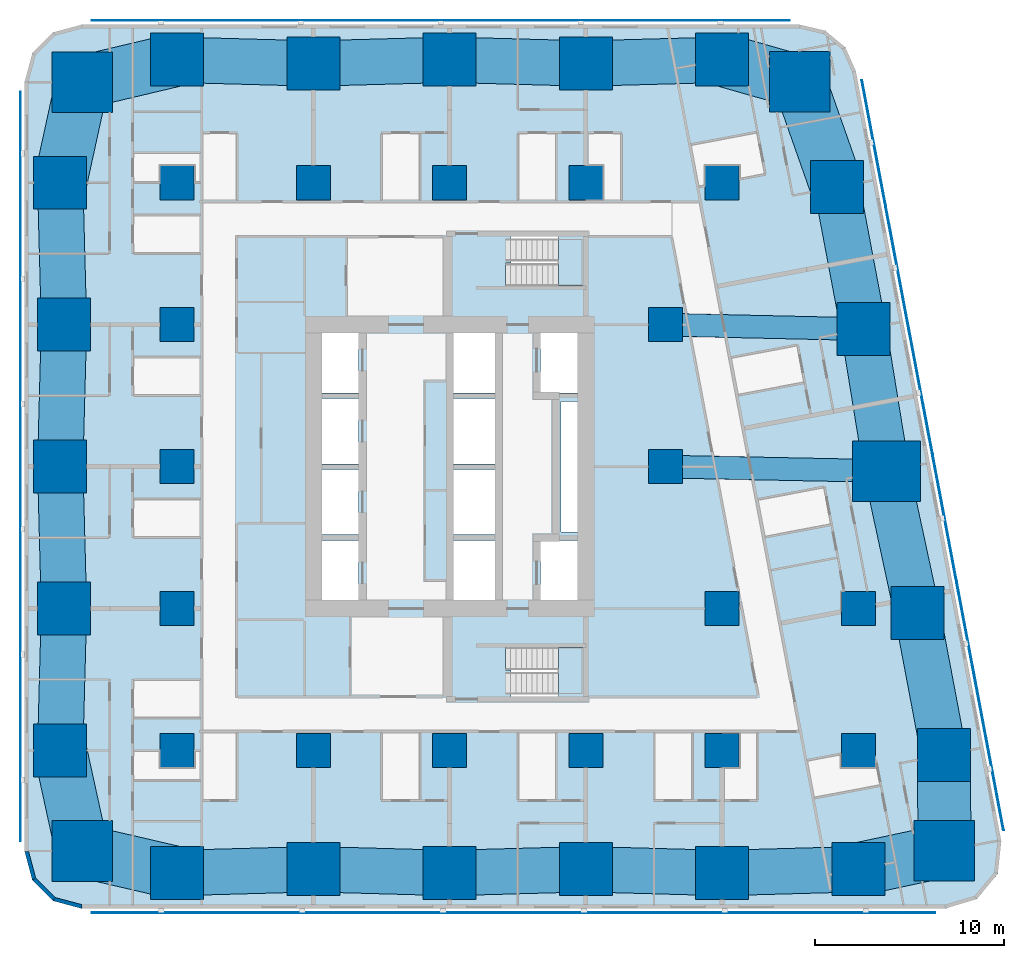
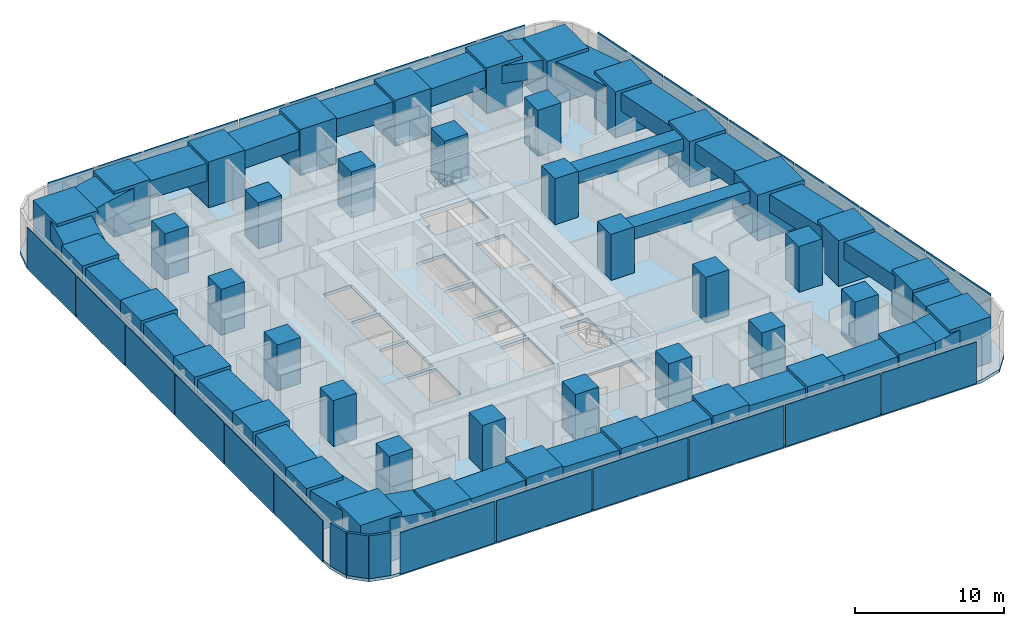
# One storey, part 1 of 15: 43 columns, 27 beams, 23 plates, 3 slabs, 3 walls, 2 elements without a shape of their own.
"""IFC4 building model written with IfcOpenShell, lengths in metres."""

from ifc_helpers import new_model, si_unit, direction, frame, frame_2d, origin, origin_2d, place, context, subcontext, project, spatial, polyline, rectangle, outline, extrude, material, layer, layer_set, material_profile, profile_set, type_object, element, aggregate, save


model = new_model("IFC4")

# Units and contexts
model_context = context("Model", 3, precision=1e-05, world=origin(), true_north=direction((0.0, 1.0)))
body_context = subcontext(model_context, "Body", "Model", "MODEL_VIEW")
ifc_project = project(units=[si_unit("LENGTHUNIT", "METRE"), si_unit("AREAUNIT", "SQUARE_METRE"), si_unit("VOLUMEUNIT", "CUBIC_METRE"), si_unit("PLANEANGLEUNIT", "RADIAN"), si_unit("MASSUNIT", "GRAM", prefix="KILO")], contexts=[model_context])

# Site, building, storey
site_placement = place(None, origin())
site = spatial("IfcSite", under=ifc_project, at=site_placement, CompositionType="ELEMENT")
building_placement = place(site_placement, origin())
building = spatial("IfcBuilding", under=site, at=building_placement, Name="Sheger Commons Tower", CompositionType="ELEMENT")
storey_placement = place(building_placement, frame((0.0, 0.0, 50.0)))
storey = spatial("IfcBuildingStorey", under=building, at=storey_placement, Name="L12", CompositionType="ELEMENT", Elevation=50.0)

# Columns
ifc_material_1 = material(Name="Concrete C50/60", Category="concrete")
ifc_material_profile_1 = material_profile(ifc_material_1, rectangle(XDim=3.60009765625, YDim=3.199951171875, at=origin_2d()), Name="RC 3600x3200")
ifc_profile_set_1 = profile_set([ifc_material_profile_1], Name="Concrete C50/60")
column_type_1 = type_object("IfcColumnType", Name="COLUMN PIER RC 3600x3200", PredefinedType="COLUMN", material=ifc_profile_set_1)
column_placement = place(storey_placement, frame((44.697021484375, 22.262939453125, 0.0), z_axis=(0.0, 0.0, 1.0), x_axis=(1.0, 0.0, 0.0)))
element("IfcColumn", 1, at=column_placement, inside=storey, type_object=column_type_1, Name="Pier 7/D+E/D L12", PredefinedType="COLUMN", context=body_context, shape_type="SweptSolid", body=[
    extrude(rectangle(XDim=3.60009765625, YDim=3.199951171875, at=origin_2d()), origin(), (0.0, 0.0, 1.0), 3.75),
])
ifc_material_2 = material(Name="Concrete C50/60", Category="concrete")
ifc_material_profile_2 = material_profile(ifc_material_2, rectangle(XDim=1.800048828125, YDim=1.800048828125, at=origin_2d()), Name="RC 1800x1800")
ifc_profile_set_2 = profile_set([ifc_material_profile_2], Name="Concrete C50/60")
column_type_2 = type_object("IfcColumnType", Name="COLUMN RC 1800x1800", PredefinedType="COLUMN", material=ifc_profile_set_2)
for number, where, z_axis, x_axis, name in (
    (2, (7.199951171875, 7.5, 0.0), (0.0, 0.0, 1.0), (1.0, 0.0, 0.0), "Column 2/B L12"),
    (3, (14.39990234375, 7.5, 0.0), (0.0, 0.0, 1.0), (1.0, 0.0, 0.0), "Column 3/B L12"),
    (4, (21.60009765625, 7.5, 0.0), (0.0, 0.0, 1.0), (1.0, 0.0, 0.0), "Column 4/B L12"),
    (5, (28.800048828125, 7.5, 0.0), (0.0, 0.0, 1.0), (1.0, 0.0, 0.0), "Column 5/B L12"),
    (6, (36.0, 7.5, 0.0), (0.0, 0.0, 1.0), (1.0, 0.0, 0.0), "Column 6/B L12"),
    (7, (43.199951171875, 7.5, 0.0), (0.0, 0.0, 1.0), (1.0, 0.0, 0.0), "Column 7/B L12"),
    (8, (7.199951171875, 15.0, 0.0), (0.0, 0.0, 1.0), (1.0, 0.0, 0.0), "Column 2/C L12"),
    (9, (36.0, 15.0, 0.0), (0.0, 0.0, 1.0), (1.0, 0.0, 0.0), "Column 6/C L12"),
    (10, (43.199951171875, 15.0, 0.0), (0.0, 0.0, 1.0), (1.0, 0.0, 0.0), "Column 7/C L12"),
    (11, (7.199951171875, 22.5, 0.0), (0.0, 0.0, 1.0), (1.0, 0.0, 0.0), "Column 2/D L12"),
    (12, (33.0, 22.5, 0.0), (0.0, 0.0, 1.0), (1.0, 0.0, 0.0), "Column 6-3000/D L12"),
    (13, (7.199951171875, 30.0, 0.0), (0.0, 0.0, 1.0), (1.0, 0.0, 0.0), "Column 2/E L12"),
    (14, (33.0, 30.0, 0.0), (0.0, 0.0, 1.0), (1.0, 0.0, 0.0), "Column 6-3000/E L12"),
    (15, (7.199951171875, 37.5, 0.0), (0.0, 0.0, 1.0), (1.0, 0.0, 0.0), "Column 2/F L12"),
    (16, (14.39990234375, 37.5, 0.0), (0.0, 0.0, 1.0), (1.0, 0.0, 0.0), "Column 3/F L12"),
    (17, (21.60009765625, 37.5, 0.0), (0.0, 0.0, 1.0), (1.0, 0.0, 0.0), "Column 4/F L12"),
    (18, (28.800048828125, 37.5, 0.0), (0.0, 0.0, 1.0), (1.0, 0.0, 0.0), "Column 5/F L12"),
    (19, (36.0, 37.5, 0.0), (0.0, 0.0, 1.0), (1.0, 0.0, 0.0), "Column 6/F L12"),
):
    element("IfcColumn", number, at=place(storey_placement, frame(where, z_axis=z_axis, x_axis=x_axis)), inside=storey, type_object=column_type_2, Name=name, PredefinedType="COLUMN", context=body_context, shape_type="SweptSolid", body=[
        extrude(rectangle(XDim=1.800048828125, YDim=1.800048828125, at=origin_2d()), origin(), (0.0, 0.0, 1.0), 3.75),
    ])
ifc_material_3 = material(Name="Concrete C50/60", Category="concrete")
ifc_material_profile_3 = material_profile(ifc_material_3, rectangle(XDim=2.800048828125, YDim=2.800048828125, at=origin_2d()), Name="RC 2800x2800")
ifc_profile_set_3 = profile_set([ifc_material_profile_3], Name="Concrete C50/60")
column_type_3 = type_object("IfcColumnType", Name="COLUMN RC 2800x2800", PredefinedType="COLUMN", material=ifc_profile_set_3)
for number, where, z_axis, x_axis, name in (
    (20, (7.199951171875, 1.02490234375, 0.0), (0.0, 0.0, 1.0), (1.0, 0.0, 0.0), "Column 2/A L12"),
    (21, (14.39990234375, 1.22509765625, 0.0), (0.0, 0.0, 1.0), (1.0, 0.0, 0.0), "Column 3/A L12"),
    (22, (21.60009765625, 1.02490234375, 0.0), (0.0, 0.0, 1.0), (1.0, 0.0, 0.0), "Column 4/A L12"),
    (23, (28.800048828125, 1.22509765625, 0.0), (0.0, 0.0, 1.0), (1.0, 0.0, 0.0), "Column 5/A L12"),
    (24, (36.0, 1.02490234375, 0.0), (0.0, 0.0, 1.0), (1.0, 0.0, 0.0), "Column 6/A L12"),
    (25, (43.199951171875, 1.22509765625, 0.0), (0.0, 0.0, 1.0), (1.0, 0.0, 0.0), "Column 7/A L12"),
    (26, (1.02490234375, 7.5, 0.0), (0.0, 0.0, 1.0), (1.0, 0.0, 0.0), "Column 1/B L12"),
    (27, (47.72998046875, 7.262939453125, 0.0), (0.0, 0.0, 1.0), (1.0, 0.0, 0.0), "Column E/B L12"),
    (28, (1.22509765625, 15.0, 0.0), (0.0, 0.0, 1.0), (1.0, 0.0, 0.0), "Column 1/C L12"),
    (29, (46.31396484375, 14.762939453125, 0.0), (0.0, 0.0, 1.0), (1.0, 0.0, 0.0), "Column E/C L12"),
    (30, (1.02490234375, 22.5, 0.0), (0.0, 0.0, 1.0), (1.0, 0.0, 0.0), "Column 1/D L12"),
    (31, (1.22509765625, 30.0, 0.0), (0.0, 0.0, 1.0), (1.0, 0.0, 0.0), "Column 1/E L12"),
    (32, (43.47998046875, 29.762939453125, 0.0), (0.0, 0.0, 1.0), (1.0, 0.0, 0.0), "Column E/E L12"),
    (33, (1.02490234375, 37.5, 0.0), (0.0, 0.0, 1.0), (1.0, 0.0, 0.0), "Column 1/F L12"),
    (34, (42.06396484375, 37.262939453125, 0.0), (0.0, 0.0, 1.0), (1.0, 0.0, 0.0), "Column E/F L12"),
    (35, (7.199951171875, 44.0, 0.0), (0.0, 0.0, 1.0), (1.0, 0.0, 0.0), "Column 2/G L12"),
    (36, (14.39990234375, 43.800048828125, 0.0), (0.0, 0.0, 1.0), (1.0, 0.0, 0.0), "Column 3/G L12"),
    (37, (21.60009765625, 44.0, 0.0), (0.0, 0.0, 1.0), (1.0, 0.0, 0.0), "Column 4/G L12"),
    (38, (28.800048828125, 43.800048828125, 0.0), (0.0, 0.0, 1.0), (1.0, 0.0, 0.0), "Column 5/G L12"),
    (39, (36.0, 44.0, 0.0), (0.0, 0.0, 1.0), (1.0, 0.0, 0.0), "Column 6/G L12"),
):
    element("IfcColumn", number, at=place(storey_placement, frame(where, z_axis=z_axis, x_axis=x_axis)), inside=storey, type_object=column_type_3, Name=name, PredefinedType="COLUMN", context=body_context, shape_type="SweptSolid", body=[
        extrude(rectangle(XDim=2.800048828125, YDim=2.800048828125, at=origin_2d()), origin(), (0.0, 0.0, 1.0), 3.75),
    ])
ifc_material_4 = material(Name="Concrete C50/60", Category="concrete")
ifc_material_profile_4 = material_profile(ifc_material_4, rectangle(XDim=3.199951171875, YDim=3.199951171875, at=origin_2d()), Name="RC 3200x3200")
ifc_profile_set_4 = profile_set([ifc_material_profile_4], Name="Concrete C50/60")
column_type_4 = type_object("IfcColumnType", Name="COLUMN RC 3200x3200", PredefinedType="COLUMN", material=ifc_profile_set_4)
for number, where, z_axis, x_axis, name in (
    (40, (2.18603515625, 2.18603515625, 0.0), (0.0, 0.0, 1.0), (1.0, 0.0, 0.0), "Column 0.630,0.630 L12"),
    (41, (47.748046875, 2.197021484375, 0.0), (0.0, 0.0, 1.0), (1.0, 0.0, 0.0), "Column 49.461,0.778 L12"),
    (42, (2.18603515625, 42.81396484375, 0.0), (0.0, 0.0, 1.0), (1.0, 0.0, 0.0), "Column 0.630,44.370 L12"),
    (43, (40.10205078125, 42.830078125, 0.0), (0.0, 0.0, 1.0), (1.0, 0.0, 0.0), "Column 41.490,44.505 L12"),
):
    element("IfcColumn", number, at=place(storey_placement, frame(where, z_axis=z_axis, x_axis=x_axis)), inside=storey, type_object=column_type_4, Name=name, PredefinedType="COLUMN", context=body_context, shape_type="SweptSolid", body=[
        extrude(rectangle(XDim=3.199951171875, YDim=3.199951171875, at=origin_2d()), origin(), (0.0, 0.0, 1.0), 3.75),
    ])

# Beams
ifc_material_5 = material(Name="Concrete C50/60", Category="concrete")
ifc_material_profile_5 = material_profile(ifc_material_5, rectangle(XDim=1.199951171875, YDim=1.0, at=origin_2d()), Name="RC 1200x1000")
ifc_profile_set_5 = profile_set([ifc_material_profile_5], Name="Concrete C50/60")
beam_type_1 = type_object("IfcBeamType", Name="BEAM RC 1200x1000", PredefinedType="BEAM", material=ifc_profile_set_5)
beam_1_placement = place(storey_placement, frame((33.0, 22.5, 3.0), z_axis=(0.999794692776, -0.02026258368, 0.0), x_axis=(0.02026258368, 0.999794692776, 0.0)))
element("IfcBeam", 44, at=beam_1_placement, inside=storey, type_object=beam_type_1, Name="Beam 6-3000/D-7/D under L13", PredefinedType="BEAM", context=body_context, shape_type="SweptSolid", body=[
    extrude(rectangle(XDim=1.199951171875, YDim=1.0, at=origin_2d()), origin(), (0.0, 0.0, 1.0), 11.699462890625),
])
beam_2_placement = place(storey_placement, frame((33.0, 30.0, 3.0), z_axis=(0.999744258625, -0.022614538395, 0.0), x_axis=(0.022614538395, 0.999744258625, 0.0)))
element("IfcBeam", 45, at=beam_2_placement, inside=storey, type_object=beam_type_1, Name="Beam 6-3000/E-E/E under L13", PredefinedType="BEAM", context=body_context, shape_type="SweptSolid", body=[
    extrude(rectangle(XDim=1.199951171875, YDim=1.0, at=origin_2d()), origin(), (0.0, 0.0, 1.0), 10.482666015625),
])
ifc_material_6 = material(Name="Concrete C50/60", Category="concrete")
ifc_material_profile_6 = material_profile(ifc_material_6, rectangle(XDim=2.39990234375, YDim=1.449951171875, at=origin_2d()), Name="RC 2400x1450")
ifc_profile_set_6 = profile_set([ifc_material_profile_6], Name="Concrete C50/60")
beam_type_2 = type_object("IfcBeamType", Name="SPANDREL RC 2400x1450", PredefinedType="SPANDREL", material=ifc_profile_set_6)
beam_3_placement = place(storey_placement, frame((7.199951171875, 1.02490234375, 2.77490234375), z_axis=(0.9996136624, 0.027794350926, 0.0), x_axis=(-0.027794350926, 0.9996136624, 0.0)))
element("IfcBeam", 46, at=beam_3_placement, inside=storey, type_object=beam_type_2, Name="Beam 2/A-3/A under L13", PredefinedType="SPANDREL", context=body_context, shape_type="SweptSolid", body=[
    extrude(rectangle(XDim=2.39990234375, YDim=1.449951171875, at=origin_2d()), origin(), (0.0, 0.0, 1.0), 7.20263671875),
])
beam_4_placement = place(storey_placement, frame((14.39990234375, 1.22509765625, 2.77490234375), z_axis=(0.999613688584, -0.027793409217, 0.0), x_axis=(0.027793409217, 0.999613688584, 0.0)))
element("IfcBeam", 47, at=beam_4_placement, inside=storey, type_object=beam_type_2, Name="Beam 3/A-4/A under L13", PredefinedType="SPANDREL", context=body_context, shape_type="SweptSolid", body=[
    extrude(rectangle(XDim=2.39990234375, YDim=1.449951171875, at=origin_2d()), origin(), (0.0, 0.0, 1.0), 7.202880859375),
])
for number, where, z_axis, x_axis, name in (
    (48, (21.60009765625, 1.02490234375, 2.77490234375), (0.9996136624, 0.027794350926, 0.0), (-0.027794350926, 0.9996136624, 0.0), "Beam 4/A-5/A under L13"),
    (49, (28.800048828125, 1.22509765625, 2.77490234375), (0.9996136624, -0.027794350926, 0.0), (0.027794350926, 0.9996136624, 0.0), "Beam 5/A-6/A under L13"),
    (50, (36.0, 1.02490234375, 2.77490234375), (0.9996136624, 0.027794350926, 0.0), (-0.027794350926, 0.9996136624, 0.0), "Beam 6/A-7/A under L13"),
):
    element("IfcBeam", number, at=place(storey_placement, frame(where, z_axis=z_axis, x_axis=x_axis)), inside=storey, type_object=beam_type_2, Name=name, PredefinedType="SPANDREL", context=body_context, shape_type="SweptSolid", body=[
        extrude(rectangle(XDim=2.39990234375, YDim=1.449951171875, at=origin_2d()), origin(), (0.0, 0.0, 1.0), 7.20263671875),
    ])
beam_5_placement = place(storey_placement, frame((47.72998046875, 7.262939453125, 2.77490234375), z_axis=(-0.18552441405, 0.982639655108, 0.0), x_axis=(-0.982639655108, -0.18552441405, 0.0)))
element("IfcBeam", 51, at=beam_5_placement, inside=storey, type_object=beam_type_2, Name="Beam E/B-E/C under L13", PredefinedType="SPANDREL", context=body_context, shape_type="SweptSolid", body=[
    extrude(rectangle(XDim=2.39990234375, YDim=1.449951171875, at=origin_2d()), origin(), (0.0, 0.0, 1.0), 7.632568359375),
])
beam_6_placement = place(storey_placement, frame((46.31396484375, 14.762939453125, 2.77490234375), z_axis=(-0.210750229323, 0.977539943348, 0.0), x_axis=(-0.977539943348, -0.210750229323, 0.0)))
element("IfcBeam", 52, at=beam_6_placement, inside=storey, type_object=beam_type_2, Name="Beam E/C-E/D under L13", PredefinedType="SPANDREL", context=body_context, shape_type="SweptSolid", body=[
    extrude(rectangle(XDim=2.39990234375, YDim=1.449951171875, at=origin_2d()), origin(), (0.0, 0.0, 1.0), 7.67236328125),
])
beam_7_placement = place(storey_placement, frame((44.697021484375, 22.262939453125, 2.77490234375), z_axis=(-0.160176929512, 0.987088319884, 0.0), x_axis=(-0.987088319884, -0.160176929512, 0.0)))
element("IfcBeam", 53, at=beam_7_placement, inside=storey, type_object=beam_type_2, Name="Beam E/D-E/E under L13", PredefinedType="SPANDREL", context=body_context, shape_type="SweptSolid", body=[
    extrude(rectangle(XDim=2.39990234375, YDim=1.449951171875, at=origin_2d()), origin(), (0.0, 0.0, 1.0), 7.59814453125),
])
beam_8_placement = place(storey_placement, frame((43.47998046875, 29.762939453125, 2.77490234375), z_axis=(-0.18552441405, 0.982639655108, 0.0), x_axis=(-0.982639655108, -0.18552441405, 0.0)))
element("IfcBeam", 54, at=beam_8_placement, inside=storey, type_object=beam_type_2, Name="Beam E/E-E/F under L13", PredefinedType="SPANDREL", context=body_context, shape_type="SweptSolid", body=[
    extrude(rectangle(XDim=2.39990234375, YDim=1.449951171875, at=origin_2d()), origin(), (0.0, 0.0, 1.0), 7.632568359375),
])
for number, where, z_axis, x_axis, name in (
    (55, (36.0, 44.0, 2.77490234375), (-0.999614603568, -0.027760481514, 0.0), (0.027760481514, -0.999614603568, 0.0), "Beam 6/G-5/G under L13"),
    (56, (28.800048828125, 43.800048828125, 2.77490234375), (-0.999614603568, 0.027760481514, 0.0), (-0.027760481514, -0.999614603568, 0.0), "Beam 5/G-4/G under L13"),
):
    element("IfcBeam", number, at=place(storey_placement, frame(where, z_axis=z_axis, x_axis=x_axis)), inside=storey, type_object=beam_type_2, Name=name, PredefinedType="SPANDREL", context=body_context, shape_type="SweptSolid", body=[
        extrude(rectangle(XDim=2.39990234375, YDim=1.449951171875, at=origin_2d()), origin(), (0.0, 0.0, 1.0), 7.20263671875),
    ])
beam_9_placement = place(storey_placement, frame((21.60009765625, 44.0, 2.77490234375), z_axis=(-0.999614629688, -0.027759540951, 0.0), x_axis=(0.027759540951, -0.999614629688, 0.0)))
element("IfcBeam", 57, at=beam_9_placement, inside=storey, type_object=beam_type_2, Name="Beam 4/G-3/G under L13", PredefinedType="SPANDREL", context=body_context, shape_type="SweptSolid", body=[
    extrude(rectangle(XDim=2.39990234375, YDim=1.449951171875, at=origin_2d()), origin(), (0.0, 0.0, 1.0), 7.202880859375),
])
beam_10_placement = place(storey_placement, frame((14.39990234375, 43.800048828125, 2.77490234375), z_axis=(-0.999614603568, 0.027760481514, 0.0), x_axis=(-0.027760481514, -0.999614603568, 0.0)))
element("IfcBeam", 58, at=beam_10_placement, inside=storey, type_object=beam_type_2, Name="Beam 3/G-2/G under L13", PredefinedType="SPANDREL", context=body_context, shape_type="SweptSolid", body=[
    extrude(rectangle(XDim=2.39990234375, YDim=1.449951171875, at=origin_2d()), origin(), (0.0, 0.0, 1.0), 7.20263671875),
])
for number, where, z_axis, x_axis, name in (
    (59, (1.02490234375, 37.5, 2.77490234375), (0.026683204125, -0.999643939919, 0.0), (0.999643939919, 0.026683204125, 0.0), "Beam 1/F-1/E under L13"),
    (60, (1.22509765625, 30.0, 2.77490234375), (-0.026683204125, -0.999643939919, 0.0), (0.999643939919, -0.026683204125, 0.0), "Beam 1/E-1/D under L13"),
    (61, (1.02490234375, 22.5, 2.77490234375), (0.026683204125, -0.999643939919, 0.0), (0.999643939919, 0.026683204125, 0.0), "Beam 1/D-1/C under L13"),
    (62, (1.22509765625, 15.0, 2.77490234375), (-0.026683204125, -0.999643939919, 0.0), (0.999643939919, -0.026683204125, 0.0), "Beam 1/C-1/B under L13"),
):
    element("IfcBeam", number, at=place(storey_placement, frame(where, z_axis=z_axis, x_axis=x_axis)), inside=storey, type_object=beam_type_2, Name=name, PredefinedType="SPANDREL", context=body_context, shape_type="SweptSolid", body=[
        extrude(rectangle(XDim=2.39990234375, YDim=1.449951171875, at=origin_2d()), origin(), (0.0, 0.0, 1.0), 7.502685546875),
    ])
ifc_material_7 = material(Name="Concrete C50/60", Category="concrete")
ifc_material_profile_7 = material_profile(ifc_material_7, rectangle(XDim=2.800048828125, YDim=1.449951171875, at=origin_2d()), Name="RC 2800x1450")
ifc_profile_set_7 = profile_set([ifc_material_profile_7], Name="Concrete C50/60")
beam_type_3 = type_object("IfcBeamType", Name="SPANDREL RC 2800x1450", PredefinedType="SPANDREL", material=ifc_profile_set_7)
beam_11_placement = place(storey_placement, frame((2.18603515625, 2.18603515625, 2.77490234375), z_axis=(0.974217413499, -0.225611239159, 0.0), x_axis=(0.225611239159, 0.974217413499, 0.0)))
element("IfcBeam", 63, at=beam_11_placement, inside=storey, type_object=beam_type_3, Name="Beam 0.630,0.630-2/A under L13", PredefinedType="SPANDREL", context=body_context, shape_type="SweptSolid", body=[
    extrude(rectangle(XDim=2.800048828125, YDim=1.449951171875, at=origin_2d()), origin(), (0.0, 0.0, 1.0), 5.146728515625),
])
beam_12_placement = place(storey_placement, frame((43.199951171875, 1.22509765625, 2.77490234375), z_axis=(0.977919796671, 0.208980552394, 0.0), x_axis=(-0.208980552394, 0.977919796671, 0.0)))
element("IfcBeam", 64, at=beam_12_placement, inside=storey, type_object=beam_type_3, Name="Beam 7/A-49.461,0.778 under L13", PredefinedType="SPANDREL", context=body_context, shape_type="SweptSolid", body=[
    extrude(rectangle(XDim=2.800048828125, YDim=1.449951171875, at=origin_2d()), origin(), (0.0, 0.0, 1.0), 4.65087890625),
])
beam_13_placement = place(storey_placement, frame((47.748046875, 2.197021484375, 2.77490234375), z_axis=(-0.003566242382, 0.999993640937, 0.0), x_axis=(-0.999993640937, -0.003566242382, 0.0)))
element("IfcBeam", 65, at=beam_13_placement, inside=storey, type_object=beam_type_3, Name="Beam 49.461,0.778-E/B under L13", PredefinedType="SPANDREL", context=body_context, shape_type="SweptSolid", body=[
    extrude(rectangle(XDim=2.800048828125, YDim=1.449951171875, at=origin_2d()), origin(), (0.0, 0.0, 1.0), 5.06591796875),
])
beam_14_placement = place(storey_placement, frame((42.06396484375, 37.262939453125, 2.77490234375), z_axis=(-0.332374403357, 0.943147526102, 0.0), x_axis=(-0.943147526102, -0.332374403357, 0.0)))
element("IfcBeam", 66, at=beam_14_placement, inside=storey, type_object=beam_type_3, Name="Beam E/F-41.490,44.505 under L13", PredefinedType="SPANDREL", context=body_context, shape_type="SweptSolid", body=[
    extrude(rectangle(XDim=2.800048828125, YDim=1.449951171875, at=origin_2d()), origin(), (0.0, 0.0, 1.0), 5.90283203125),
])
beam_15_placement = place(storey_placement, frame((40.10205078125, 42.830078125, 2.77490234375), z_axis=(-0.961653428129, 0.274267541221, 0.0), x_axis=(-0.274267541221, -0.961653428129, 0.0)))
element("IfcBeam", 67, at=beam_15_placement, inside=storey, type_object=beam_type_3, Name="Beam 41.490,44.505-6/G under L13", PredefinedType="SPANDREL", context=body_context, shape_type="SweptSolid", body=[
    extrude(rectangle(XDim=2.800048828125, YDim=1.449951171875, at=origin_2d()), origin(), (0.0, 0.0, 1.0), 4.265625),
])
beam_16_placement = place(storey_placement, frame((7.199951171875, 44.0, 2.77490234375), z_axis=(-0.97314428949, -0.230195985701, 0.0), x_axis=(0.230195985701, -0.97314428949, 0.0)))
element("IfcBeam", 68, at=beam_16_placement, inside=storey, type_object=beam_type_3, Name="Beam 2/G-0.630,44.370 under L13", PredefinedType="SPANDREL", context=body_context, shape_type="SweptSolid", body=[
    extrude(rectangle(XDim=2.800048828125, YDim=1.449951171875, at=origin_2d()), origin(), (0.0, 0.0, 1.0), 5.15234375),
])
for number, where, z_axis, x_axis, name in (
    (69, (2.18603515625, 42.81396484375, 2.77490234375), (-0.213469314652, -0.976949769283, 0.0), (0.976949769283, -0.213469314652, 0.0), "Beam 0.630,44.370-1/F under L13"),
    (70, (1.02490234375, 7.5, 2.77490234375), (0.213469314652, -0.976949769283, 0.0), (0.976949769283, 0.213469314652, 0.0), "Beam 1/B-0.630,0.630 under L13"),
):
    element("IfcBeam", number, at=place(storey_placement, frame(where, z_axis=z_axis, x_axis=x_axis)), inside=storey, type_object=beam_type_3, Name=name, PredefinedType="SPANDREL", context=body_context, shape_type="SweptSolid", body=[
        extrude(rectangle(XDim=2.800048828125, YDim=1.449951171875, at=origin_2d()), origin(), (0.0, 0.0, 1.0), 5.439453125),
    ])

# Slab
ifc_material_8 = material(Name="Concrete C35/45", Category="concrete")
ifc_layer_1 = layer(ifc_material_8, 0.25)
ifc_layer_set_1 = layer_set([ifc_layer_1], Name="SLAB FLOOR 250")
slab_type_1 = type_object("IfcSlabType", Name="SLAB FLOOR 250", PredefinedType="FLOOR", material=ifc_layer_set_1)
slab_1_placement = place(storey_placement, frame((0.0, 0.0, -0.25)))
element("IfcSlab", 71, at=slab_1_placement, inside=storey, type_object=slab_type_1, Name="L12 floor slab", PredefinedType="FLOOR", context=body_context, shape_type="SweptSolid", body=[
    extrude(outline(polyline([(-0.85009765625, 2.14990234375), (-0.447998046875, 0.64990234375), (0.64990234375, -0.447998046875), (2.14990234375, -0.85009765625), (47.805908203125, -0.85009765625), (49.465087890625, -0.35009765625), (50.570068359375, 0.98388671875), (50.75390625, 2.70703125), (43.06591796875, 43.406982421875), (42.509033203125, 44.660888671875), (41.452880859375, 45.535888671875), (40.117919921875, 45.85009765625), (2.14990234375, 45.85009765625), (0.64990234375, 45.447998046875), (-0.447998046875, 44.35009765625), (-0.85009765625, 42.85009765625), (-0.85009765625, 2.14990234375)]), holes=[polyline([(24.85009765625, 10.35009765625), (28.64990234375, 10.35009765625), (28.64990234375, 12.949951171875), (24.551025390625, 12.949951171875), (24.551025390625, 11.75), (24.85009765625, 11.75), (24.85009765625, 10.35009765625)]), polyline([(24.551025390625, 32.050048828125), (28.64990234375, 32.050048828125), (28.64990234375, 34.64990234375), (24.85009765625, 34.64990234375), (24.85009765625, 33.25), (24.551025390625, 33.25), (24.551025390625, 32.050048828125)]), polyline([(26.39990234375, 15.14990234375), (28.60009765625, 15.14990234375), (28.60009765625, 18.60009765625), (26.39990234375, 18.60009765625), (26.39990234375, 15.14990234375)]), polyline([(26.39990234375, 26.39990234375), (28.60009765625, 26.39990234375), (28.60009765625, 29.85009765625), (26.39990234375, 29.85009765625), (26.39990234375, 26.39990234375)]), polyline([(14.60009765625, 15.14990234375), (16.800048828125, 15.14990234375), (16.800048828125, 18.60009765625), (14.60009765625, 18.60009765625), (14.60009765625, 15.14990234375)]), polyline([(14.60009765625, 18.89990234375), (16.800048828125, 18.89990234375), (16.800048828125, 22.35009765625), (14.60009765625, 22.35009765625), (14.60009765625, 18.89990234375)]), polyline([(14.60009765625, 22.64990234375), (16.800048828125, 22.64990234375), (16.800048828125, 26.10009765625), (14.60009765625, 26.10009765625), (14.60009765625, 22.64990234375)]), polyline([(14.60009765625, 26.39990234375), (16.800048828125, 26.39990234375), (16.800048828125, 29.85009765625), (14.60009765625, 29.85009765625), (14.60009765625, 26.39990234375)]), polyline([(21.800048828125, 15.14990234375), (24.0, 15.14990234375), (24.0, 18.60009765625), (21.800048828125, 18.60009765625), (21.800048828125, 15.14990234375)]), polyline([(21.800048828125, 18.89990234375), (24.0, 18.89990234375), (24.0, 22.35009765625), (21.800048828125, 22.35009765625), (21.800048828125, 18.89990234375)]), polyline([(21.800048828125, 22.64990234375), (24.0, 22.64990234375), (24.0, 26.10009765625), (21.800048828125, 26.10009765625), (21.800048828125, 22.64990234375)]), polyline([(21.800048828125, 26.39990234375), (24.0, 26.39990234375), (24.0, 29.85009765625), (21.800048828125, 29.85009765625), (21.800048828125, 26.39990234375)]), polyline([(27.5, 19.050048828125), (28.5, 19.050048828125), (28.5, 25.949951171875), (27.5, 25.949951171875), (27.5, 19.050048828125)])]), origin(), (0.0, 0.0, 1.0), 0.25),
])

# Plates
ifc_material_9 = material(Name="Perforated black anodised aluminium screen", Category="aluminium")
ifc_layer_2 = layer(ifc_material_9, 0.050048828125)
ifc_layer_set_2 = layer_set([ifc_layer_2], Name="SOLAR SCREEN SCREEN-1")
plate_type = type_object("IfcPlateType", Name="SOLAR SCREEN SCREEN-1", PredefinedType="USERDEFINED", material=ifc_layer_set_2)
for number, where, z_axis, x_axis, name in (
    (72, (6.37109375, -1.074951171875, 0.050048828125), (0.0, 0.0, 1.0), (1.0, 0.0, 0.0), "Perforated solar screen panel"),
    (73, (13.81396484375, -1.074951171875, 0.050048828125), (0.0, 0.0, 1.0), (1.0, 0.0, 0.0), "Perforated solar screen panel"),
    (74, (21.257080078125, -1.074951171875, 0.050048828125), (0.0, 0.0, 1.0), (1.0, 0.0, 0.0), "Perforated solar screen panel"),
    (75, (28.698974609375, -1.074951171875, 0.050048828125), (0.0, 0.0, 1.0), (1.0, 0.0, 0.0), "Perforated solar screen panel"),
    (76, (36.14208984375, -1.074951171875, 0.050048828125), (0.0, 0.0, 1.0), (1.0, 0.0, 0.0), "Perforated solar screen panel"),
    (77, (43.5849609375, -1.074951171875, 0.050048828125), (0.0, 0.0, 1.0), (1.0, 0.0, 0.0), "Perforated solar screen panel"),
):
    element("IfcPlate", number, at=place(storey_placement, frame(where, z_axis=z_axis, x_axis=x_axis)), inside=storey, type_object=plate_type, Name=name, ObjectType="SCREEN", PredefinedType="USERDEFINED", context=body_context, shape_type="SweptSolid", body=[
        extrude(rectangle(XDim=7.343017578125, YDim=0.050048828125, at=origin_2d()), origin(), (0.0, 0.0, 1.0), 3.39990234375),
    ])
for number, where, z_axis, x_axis, name in (
    (78, (50.257080078125, 6.550048828125, 0.050048828125), (0.0, 0.0, 1.0), (-0.185615165645, 0.982622516678, 0.0), "Perforated solar screen panel"),
    (79, (49.007080078125, 13.1689453125, 0.050048828125), (0.0, 0.0, 1.0), (-0.185615165645, 0.982622516678, 0.0), "Perforated solar screen panel"),
    (80, (47.756103515625, 19.7890625, 0.050048828125), (0.0, 0.0, 1.0), (-0.185615165645, 0.982622516678, 0.0), "Perforated solar screen panel"),
    (81, (46.506103515625, 26.408935546875, 0.050048828125), (0.0, 0.0, 1.0), (-0.185615165645, 0.982622516678, 0.0), "Perforated solar screen panel"),
    (82, (45.2548828125, 33.028076171875, 0.050048828125), (0.0, 0.0, 1.0), (-0.185615165645, 0.982622516678, 0.0), "Perforated solar screen panel"),
    (83, (44.0048828125, 39.64794921875, 0.050048828125), (0.0, 0.0, 1.0), (-0.185615165645, 0.982622516678, 0.0), "Perforated solar screen panel"),
):
    element("IfcPlate", number, at=place(storey_placement, frame(where, z_axis=z_axis, x_axis=x_axis)), inside=storey, type_object=plate_type, Name=name, ObjectType="SCREEN", PredefinedType="USERDEFINED", context=body_context, shape_type="SweptSolid", body=[
        extrude(rectangle(XDim=6.636962890625, YDim=0.050048828125, at=origin_2d()), origin(), (0.0, 0.0, 1.0), 3.39990234375),
    ])
for number, where, z_axis, x_axis, name in (
    (84, (35.9208984375, 46.074951171875, 0.050048828125), (0.0, 0.0, 1.0), (-1.0, 0.0, 0.0), "Perforated solar screen panel"),
    (85, (28.528076171875, 46.074951171875, 0.050048828125), (0.0, 0.0, 1.0), (-1.0, 0.0, 0.0), "Perforated solar screen panel"),
    (86, (21.134033203125, 46.074951171875, 0.050048828125), (0.0, 0.0, 1.0), (-1.0, 0.0, 0.0), "Perforated solar screen panel"),
    (87, (13.739990234375, 46.074951171875, 0.050048828125), (0.0, 0.0, 1.0), (-1.0, 0.0, 0.0), "Perforated solar screen panel"),
    (88, (6.346923828125, 46.074951171875, 0.050048828125), (0.0, 0.0, 1.0), (-1.0, 0.0, 0.0), "Perforated solar screen panel"),
):
    element("IfcPlate", number, at=place(storey_placement, frame(where, z_axis=z_axis, x_axis=x_axis)), inside=storey, type_object=plate_type, Name=name, ObjectType="SCREEN", PredefinedType="USERDEFINED", context=body_context, shape_type="SweptSolid", body=[
        extrude(rectangle(XDim=7.2939453125, YDim=0.050048828125, at=origin_2d()), origin(), (0.0, 0.0, 1.0), 3.39990234375),
    ])
for number, where, z_axis, x_axis, name in (
    (89, (-1.074951171875, 39.0419921875, 0.050048828125), (0.0, 0.0, 1.0), (0.0, -1.0, 0.0), "Perforated solar screen panel"),
    (90, (-1.074951171875, 32.425048828125, 0.050048828125), (0.0, 0.0, 1.0), (0.0, -1.0, 0.0), "Perforated solar screen panel"),
    (91, (-1.074951171875, 25.80810546875, 0.050048828125), (0.0, 0.0, 1.0), (0.0, -1.0, 0.0), "Perforated solar screen panel"),
    (92, (-1.074951171875, 19.19189453125, 0.050048828125), (0.0, 0.0, 1.0), (0.0, -1.0, 0.0), "Perforated solar screen panel"),
    (93, (-1.074951171875, 12.574951171875, 0.050048828125), (0.0, 0.0, 1.0), (0.0, -1.0, 0.0), "Perforated solar screen panel"),
    (94, (-1.074951171875, 5.9580078125, 0.050048828125), (0.0, 0.0, 1.0), (0.0, -1.0, 0.0), "Perforated solar screen panel"),
):
    element("IfcPlate", number, at=place(storey_placement, frame(where, z_axis=z_axis, x_axis=x_axis)), inside=storey, type_object=plate_type, Name=name, ObjectType="SCREEN", PredefinedType="USERDEFINED", context=body_context, shape_type="SweptSolid", body=[
        extrude(rectangle(XDim=6.51708984375, YDim=0.050048828125, at=origin_2d()), origin(), (0.0, 0.0, 1.0), 3.39990234375),
    ])

# Stair, slab
ifc_material_10 = material(Name="Concrete C35/45", Category="concrete")
stair_type = type_object("IfcStairType", Name="HALF-TURN STAIR 1200 RISE 3750", PredefinedType="HALF_TURN_STAIR", material=ifc_material_10)
stair_1_placement = place(storey_placement, origin())
stair_1 = element("IfcStair", 95, at=stair_1_placement, inside=storey, type_object=stair_type, Name="Stair S1 L12", PredefinedType="HALF_TURN_STAIR")
ifc_material_11 = material(Name="Concrete C35/45", Category="concrete")
ifc_layer_3 = layer(ifc_material_11, 0.199951171875)
ifc_layer_set_3 = layer_set([ifc_layer_3], Name="STAIR LANDING 200")
slab_type_2 = type_object("IfcSlabType", Name="STAIR LANDING 200", PredefinedType="LANDING", material=ifc_layer_set_3)
slab_2_placement = place(storey_placement, frame((0.0, 0.0, 1.675048828125)))
slab_2 = element("IfcSlab", 96, at=slab_2_placement, type_object=slab_type_2, Name="S1 landing 1", PredefinedType="LANDING", context=body_context, shape_type="SweptSolid", body=[
    extrude(outline(polyline([(27.35009765625, 10.199951171875), (28.800048828125, 10.199951171875), (28.800048828125, 12.949951171875), (27.35009765625, 12.949951171875), (27.35009765625, 10.199951171875)])), origin(), (0.0, 0.0, 1.0), 0.199951171875),
])
aggregate(stair_1, [slab_2])

stair_2_placement = place(storey_placement, origin())
stair_2 = element("IfcStair", 97, at=stair_2_placement, inside=storey, type_object=stair_type, Name="Stair S2 L12", PredefinedType="HALF_TURN_STAIR")
slab_3_placement = place(storey_placement, frame((0.0, 0.0, 1.675048828125)))
slab_3 = element("IfcSlab", 98, at=slab_3_placement, type_object=slab_type_2, Name="S2 landing 1", PredefinedType="LANDING", context=body_context, shape_type="SweptSolid", body=[
    extrude(outline(polyline([(27.35009765625, 32.050048828125), (28.800048828125, 32.050048828125), (28.800048828125, 34.800048828125), (27.35009765625, 34.800048828125), (27.35009765625, 32.050048828125)])), origin(), (0.0, 0.0, 1.0), 0.199951171875),
])
aggregate(stair_2, [slab_3])

# Walls
ifc_material_12 = material(Name="Rendered concrete block masonry, dark grey", Category="masonry")
ifc_layer_4 = layer(ifc_material_12, 0.199951171875)
ifc_layer_set_4 = layer_set([ifc_layer_4], Name="FACADE WALL 200")
wall_type = type_object("IfcWallType", Name="FACADE WALL 200", PredefinedType="SOLIDWALL", material=ifc_layer_set_4)
wall_1_placement = place(storey_placement, frame((-0.75, 2.1630859375, 0.0), z_axis=(0.0, 0.0, 1.0), x_axis=(0.259168954497, -0.965832000415, 0.0)))
element("IfcWall", 99, at=wall_1_placement, inside=storey, type_object=wall_type, Name="Facade wall L12", PredefinedType="SOLIDWALL", context=body_context, shape_type="SweptSolid", body=[
    extrude(rectangle(XDim=1.512939453125, YDim=0.199951171875, at=frame_2d((0.75634765625, 0.0))), origin(), (0.0, 0.0, 1.0), 3.5),
])
wall_2_placement = place(storey_placement, frame((-0.35791015625, 0.701904296875, 0.0), z_axis=(0.0, 0.0, 1.0), x_axis=(0.707106781187, -0.707106781187, 0.0)))
element("IfcWall", 100, at=wall_2_placement, inside=storey, type_object=wall_type, Name="Facade wall L12", PredefinedType="SOLIDWALL", context=body_context, shape_type="SweptSolid", body=[
    extrude(rectangle(XDim=1.498779296875, YDim=0.199951171875, at=frame_2d((0.74951171875, 0.0))), origin(), (0.0, 0.0, 1.0), 3.5),
])
wall_3_placement = place(storey_placement, frame((0.701904296875, -0.35791015625, 0.0), z_axis=(0.0, 0.0, 1.0), x_axis=(0.965832000415, -0.259168954497, 0.0)))
element("IfcWall", 101, at=wall_3_placement, inside=storey, type_object=wall_type, Name="Facade wall L12", PredefinedType="SOLIDWALL", context=body_context, shape_type="SweptSolid", body=[
    extrude(rectangle(XDim=1.512939453125, YDim=0.199951171875, at=frame_2d((0.75634765625, 0.0))), origin(), (0.0, 0.0, 1.0), 3.5),
])

save(model, "model.ifc")
